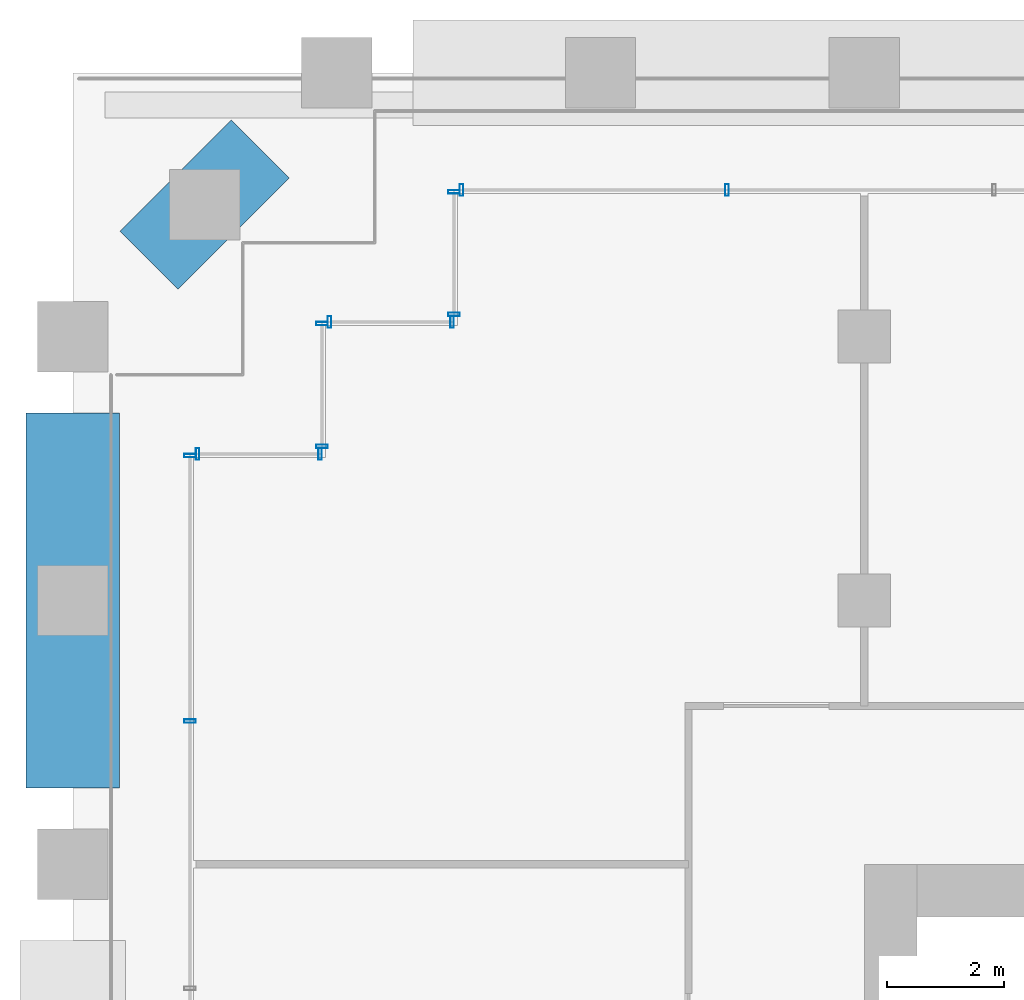
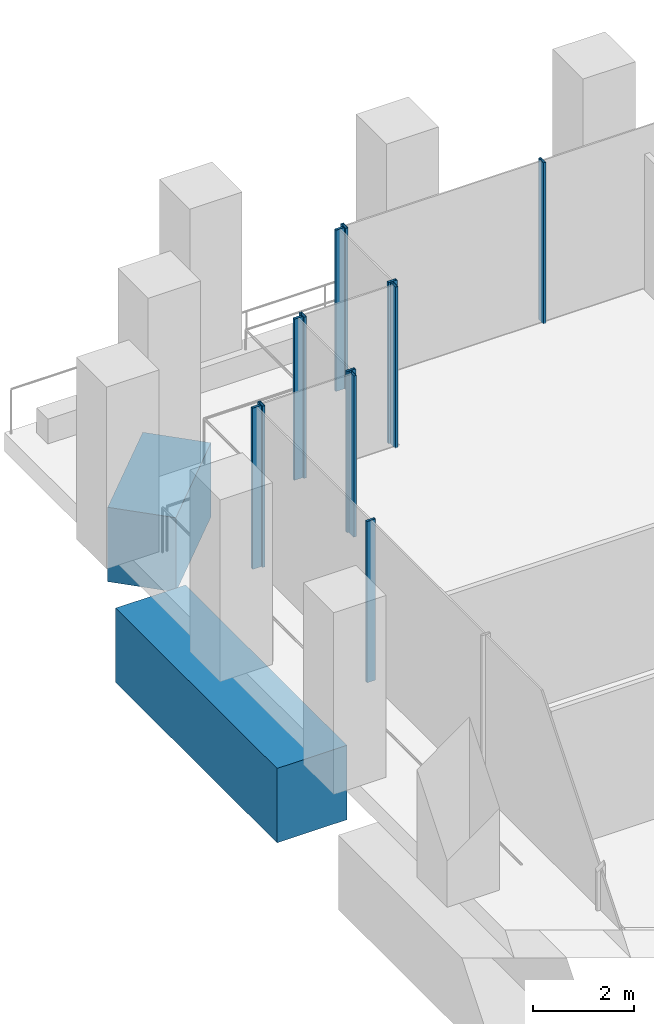
# One storey, part 9 of 32: 12 members, 2 beams, 6 elements without a shape of their own.
"""IFC4 building model written with IfcOpenShell, lengths in metres."""

import ifcopenshell
import ifcopenshell.guid

model = None  # the IFC model being written
_history = None  # IfcOwnerHistory: only IFC2X3 demands one
_inside = {}  # id of a spatial element -> (the spatial element, [elements in it])
_under = {}  # id of a project, library or spatial element -> (it, [spatial elements below it])
_declared = {}  # id of a project -> (the project, [libraries it declares])
_typed = {}  # id of a type object -> (the type object, [elements of that type])
_made_of = {}  # id of a material, layer set ... -> (it, [elements and type objects made of it])


def new_model(schema):
    """Start an empty IFC model of exactly this schema.

    Asked for "IFC4X3", IfcOpenShell would pick the latest addendum, in which some entities
    have other attributes; the version numbers below select the first issue.
    IFC2X3 requires an IfcOwnerHistory on every rooted entity: one is made here for all.
    """
    global model, _history
    if schema == "IFC4X3":
        model = ifcopenshell.file(schema_version=(4, 3, 0, 0))
    else:
        model = ifcopenshell.file(schema=schema)
    _inside.clear()
    _under.clear()
    _declared.clear()
    _typed.clear()
    _made_of.clear()
    _history = None
    if model.schema == "IFC2X3":
        org = make("IfcOrganization", Name="unknown")
        user = make(
            "IfcPersonAndOrganization",
            ThePerson=make("IfcPerson", FamilyName="unknown"),
            TheOrganization=org,
        )
        app = make(
            "IfcApplication",
            ApplicationDeveloper=org,
            Version="unknown",
            ApplicationFullName="unknown",
            ApplicationIdentifier="unknown",
        )
        _history = make(
            "IfcOwnerHistory",
            OwningUser=user,
            OwningApplication=app,
            ChangeAction="ADDED",
            CreationDate=0,
        )
    return model


def make(cls, **values):
    """One entity of the class cls with the attributes given. An attribute that is None is left unset."""
    return model.create_entity(
        cls, **{name: value for name, value in values.items() if value is not None}
    )


def rooted(cls, **values):
    """An entity with a GlobalId (a new one), such as an element, a storey or a relation."""
    return make(cls, GlobalId=ifcopenshell.guid.new(), OwnerHistory=_history, **values)


def si_unit(unit_type, name, prefix=None):
    """IfcSIUnit, for example si_unit("LENGTHUNIT", "METRE", prefix="MILLI")."""
    return make("IfcSIUnit", UnitType=unit_type, Prefix=prefix, Name=name)


def assignment(units):
    """IfcUnitAssignment: the units of a project."""
    return None if units is None else make("IfcUnitAssignment", Units=units)


def point(xyz):
    """IfcCartesianPoint."""
    return None if xyz is None else make("IfcCartesianPoint", Coordinates=xyz)


def direction(xyz):
    """IfcDirection."""
    return None if xyz is None else make("IfcDirection", DirectionRatios=xyz)


def frame(location, z_axis=None, x_axis=None):
    """IfcAxis2Placement3D, a coordinate frame: its origin and axes. An axis left out is left unset."""
    return make(
        "IfcAxis2Placement3D",
        Location=point(location),
        Axis=direction(z_axis),
        RefDirection=direction(x_axis),
    )


def frame_2d(location, x_axis=None):
    """IfcAxis2Placement2D, a coordinate frame in the plane: its origin and x axis."""
    return make(
        "IfcAxis2Placement2D", Location=point(location), RefDirection=direction(x_axis)
    )


def origin():
    """The frame at (0, 0, 0) with its axes left unset."""
    return frame((0.0, 0.0, 0.0))


def origin_2d():
    """The frame at (0, 0) in the plane with its x axis left unset."""
    return frame_2d((0.0, 0.0))


def place(relative_to, where):
    """IfcLocalPlacement: puts the frame where relative to a parent placement (None: the world)."""
    return make(
        "IfcLocalPlacement", PlacementRelTo=relative_to, RelativePlacement=where
    )


def context(
    kind, dimensions, precision=None, world=None, true_north=None, identifier=None
):
    """IfcGeometricRepresentationContext, for example the 3D "Model" context."""
    return make(
        "IfcGeometricRepresentationContext",
        ContextIdentifier=identifier,
        ContextType=kind,
        CoordinateSpaceDimension=dimensions,
        Precision=precision,
        WorldCoordinateSystem=world,
        TrueNorth=true_north,
    )


def subcontext(parent, identifier, kind, view, scale=None):
    """IfcGeometricRepresentationSubContext, for example "Body" below "Model"."""
    return make(
        "IfcGeometricRepresentationSubContext",
        ContextIdentifier=identifier,
        ContextType=kind,
        ParentContext=parent,
        TargetScale=scale,
        TargetView=view,
    )


def project(units=None, contexts=None):
    """IfcProject with its units and contexts."""
    return rooted(
        "IfcProject",
        Name="project",
        RepresentationContexts=contexts,
        UnitsInContext=assignment(units),
    )


def spatial(cls, under=None, at=None, **own):
    """A site, building, storey or space (cls), placed at a placement, below another one or the project."""
    s = rooted(cls, ObjectPlacement=at, **own)
    if under is not None:
        _under.setdefault(under.id(), (under, []))[1].append(s)
    return s


def profile(cls, at=None, kind="AREA", **sizes):
    """A parametric profile (cls). Its sizes go by their IFC names, for example OverallWidth=200.0."""
    return make(cls, ProfileType=kind, Position=at, **sizes)


def rectangle(**sizes):
    """IfcRectangleProfileDef."""
    return profile("IfcRectangleProfileDef", **sizes)


def hollow_rectangle(**sizes):
    """IfcRectangleHollowProfileDef."""
    return profile("IfcRectangleHollowProfileDef", **sizes)


def extrude(swept, where, along, depth):
    """IfcExtrudedAreaSolid: the profile swept, set in the frame where, extruded along a direction by depth."""
    return make(
        "IfcExtrudedAreaSolid",
        SweptArea=swept,
        Position=where,
        ExtrudedDirection=direction(along),
        Depth=depth,
    )


def shape(context_of_items, identifier, shape_type, items):
    """IfcShapeRepresentation: the items that make up one representation, for example the "Body"."""
    return make(
        "IfcShapeRepresentation",
        ContextOfItems=context_of_items,
        RepresentationIdentifier=identifier,
        RepresentationType=shape_type,
        Items=items,
    )


def material(Name=None, Category=None):
    """IfcMaterial."""
    return make("IfcMaterial", Name=Name, Category=Category)


def material_profile(
    of_material, cross_section, Name=None, Category=None, Priority=None
):
    """IfcMaterialProfile: a cross section and its material."""
    return make(
        "IfcMaterialProfile",
        Name=Name,
        Material=of_material,
        Profile=cross_section,
        Priority=Priority,
        Category=Category,
    )


def profile_set(profiles, Name=None, composite=None):
    """IfcMaterialProfileSet."""
    return make(
        "IfcMaterialProfileSet",
        Name=Name,
        MaterialProfiles=profiles,
        CompositeProfile=composite,
    )


def made_of(thing, what):
    """Note that an element or type object is made of a material, layer set ...; save() writes the relation."""
    if what is not None:
        _made_of.setdefault(what.id(), (what, []))[1].append(thing)
    return thing


def type_object(cls, material=None, **own):
    """A type object (cls), such as IfcWallType, which elements share."""
    return made_of(rooted(cls, **own), material)


def element(
    cls,
    number,
    at=None,
    inside=None,
    cuts=None,
    type_object=None,
    material=None,
    context=None,
    identifier="Body",
    shape_type=None,
    held_by="IfcProductDefinitionShape",
    body=None,
    shapes=None,
    **own,
):
    """One element of the class cls, such as IfcWall. Its Tag is "e" and its number.

    at: its placement. inside: the storey or other place that contains it. cuts: it is an
    opening in that element (IfcRelVoidsElement). A single representation is given by context,
    identifier, shape_type and body (its items); several are given by shapes. held_by: the class
    of the entity that holds the representations. save() writes the other relations.
    """
    e = rooted(cls, Tag="e%d" % number, ObjectPlacement=at, **own)
    if body is not None:
        shapes = [shape(context, identifier, shape_type, body)]
    if shapes is not None:
        e.Representation = make(held_by, Representations=shapes)
    if inside is not None:
        _inside.setdefault(inside.id(), (inside, []))[1].append(e)
    if cuts is not None:
        rooted(
            "IfcRelVoidsElement", RelatingBuildingElement=cuts, RelatedOpeningElement=e
        )
    if type_object is not None:
        _typed.setdefault(type_object.id(), (type_object, []))[1].append(e)
    return made_of(e, material)


def aggregate(whole, parts):
    """IfcRelAggregates: a whole, such as a stair, and the parts it consists of."""
    return rooted("IfcRelAggregates", RelatingObject=whole, RelatedObjects=parts)


def save(model, path):
    """Write the relations noted so far, then the file.

    IfcRelAggregates (storeys below a building ...), IfcRelContainedInSpatialStructure (elements
    in a storey), IfcRelDefinesByType, IfcRelAssociatesMaterial and IfcRelDeclares: one each for
    every whole, place, type object, material and project.
    """
    for whole, parts in _under.values():
        aggregate(whole, parts)
    for where, things in _inside.values():
        rooted(
            "IfcRelContainedInSpatialStructure",
            RelatedElements=things,
            RelatingStructure=where,
        )
    for kind, things in _typed.values():
        rooted("IfcRelDefinesByType", RelatedObjects=things, RelatingType=kind)
    for what, things in _made_of.values():
        rooted("IfcRelAssociatesMaterial", RelatedObjects=things, RelatingMaterial=what)
    for by, libraries in _declared.values():
        rooted("IfcRelDeclares", RelatingContext=by, RelatedDefinitions=libraries)
    model.write(path)


model = new_model("IFC4")

# Units and contexts
model_context = context("Model", 3, precision=1e-05, world=origin(), true_north=direction((0.0, 1.0)))
body_context = subcontext(model_context, "Body", "Model", "MODEL_VIEW")
ifc_project = project(units=[si_unit("LENGTHUNIT", "METRE"), si_unit("AREAUNIT", "SQUARE_METRE"), si_unit("VOLUMEUNIT", "CUBIC_METRE"), si_unit("PLANEANGLEUNIT", "RADIAN"), si_unit("MASSUNIT", "GRAM", prefix="KILO")], contexts=[model_context])

# Site, building, storey
site_placement = place(None, origin())
site = spatial("IfcSite", under=ifc_project, at=site_placement, CompositionType="ELEMENT")
building_placement = place(site_placement, origin())
building = spatial("IfcBuilding", under=site, at=building_placement, Name="Altepetl Exchange Towers", CompositionType="ELEMENT")
storey_placement = place(building_placement, frame((0.0, 0.0, 21.0)))
storey = spatial("IfcBuildingStorey", under=building, at=storey_placement, Name="L04", CompositionType="ELEMENT", Elevation=21.0)

# Curtain wall, members
ifc_material_1 = material(Name="Aluminium 6063-T6 glazing", Category="aluminium")
curtain_wall_type = type_object("IfcCurtainWallType", Name="Trading floor glazing system", PredefinedType="NOTDEFINED", material=ifc_material_1)
curtain_wall_1_placement = place(storey_placement, origin())
curtain_wall_1 = element("IfcCurtainWall", 1, at=curtain_wall_1_placement, inside=storey, type_object=curtain_wall_type, Name="CW2 run", PredefinedType="NOTDEFINED")
ifc_material_2 = material(Name="Aluminium 6063-T6", Category="aluminium")
ifc_material_profile_1 = material_profile(ifc_material_2, hollow_rectangle(XDim=0.06005859375, YDim=0.199951171875, WallThickness=0.0029296875, at=origin_2d()), Name="Mullion 60x200 aluminium")
ifc_profile_set_1 = profile_set([ifc_material_profile_1], Name="Aluminium 6063-T6")
member_type = type_object("IfcMemberType", Name="Mullion 60x200 aluminium", PredefinedType="MULLION", material=ifc_profile_set_1)
member_1_placement = place(storey_placement, frame((31.219970703125, 65.5, 0.0), z_axis=(0.0, 0.0, 1.0), x_axis=(-1.0, 0.0, 0.0)))
member_1 = element("IfcMember", 2, at=member_1_placement, type_object=member_type, Name="MU2 mullion", PredefinedType="MULLION", context=body_context, shape_type="SweptSolid", body=[
    extrude(hollow_rectangle(XDim=0.06005859375, YDim=0.199951171875, WallThickness=0.0029296875, at=origin_2d()), origin(), (0.0, 0.0, 1.0), 3.89990234375),
])
member_2_placement = place(storey_placement, frame((29.1298828125, 65.5, 0.0), z_axis=(0.0, 0.0, 1.0), x_axis=(-1.0, 0.0, 0.0)))
member_2 = element("IfcMember", 3, at=member_2_placement, type_object=member_type, Name="MU2 mullion", PredefinedType="MULLION", context=body_context, shape_type="SweptSolid", body=[
    extrude(hollow_rectangle(XDim=0.06005859375, YDim=0.199951171875, WallThickness=0.0029296875, at=origin_2d()), origin(), (0.0, 0.0, 1.0), 3.89990234375),
])
aggregate(curtain_wall_1, [member_1, member_2])

curtain_wall_2_placement = place(storey_placement, origin())
curtain_wall_2 = element("IfcCurtainWall", 4, at=curtain_wall_2_placement, inside=storey, type_object=curtain_wall_type, Name="CW2 run", PredefinedType="NOTDEFINED")
member_3_placement = place(storey_placement, frame((29.0, 65.469970703125, 0.0), z_axis=(0.0, 0.0, 1.0), x_axis=(0.0, -1.0, 0.0)))
member_3 = element("IfcMember", 5, at=member_3_placement, type_object=member_type, Name="MU2 mullion", PredefinedType="MULLION", context=body_context, shape_type="SweptSolid", body=[
    extrude(hollow_rectangle(XDim=0.06005859375, YDim=0.199951171875, WallThickness=0.0029296875, at=origin_2d()), origin(), (0.0, 0.0, 1.0), 3.89990234375),
])
member_4_placement = place(storey_placement, frame((29.0, 60.94287109375, 0.0), z_axis=(0.0, 0.0, 1.0), x_axis=(0.0, -1.0, 0.0)))
member_4 = element("IfcMember", 6, at=member_4_placement, type_object=member_type, Name="MU2 mullion", PredefinedType="MULLION", context=body_context, shape_type="SweptSolid", body=[
    extrude(hollow_rectangle(XDim=0.06005859375, YDim=0.199951171875, WallThickness=0.0029296875, at=origin_2d()), origin(), (0.0, 0.0, 1.0), 3.89990234375),
])
aggregate(curtain_wall_2, [member_3, member_4])

curtain_wall_3_placement = place(storey_placement, origin())
curtain_wall_3 = element("IfcCurtainWall", 7, at=curtain_wall_3_placement, inside=storey, type_object=curtain_wall_type, Name="CW2 run", PredefinedType="NOTDEFINED")
member_5_placement = place(storey_placement, frame((38.1572265625, 70.0, 0.0), z_axis=(0.0, 0.0, 1.0), x_axis=(-1.0, 0.0, 0.0)))
member_5 = element("IfcMember", 8, at=member_5_placement, type_object=member_type, Name="MU2 mullion", PredefinedType="MULLION", context=body_context, shape_type="SweptSolid", body=[
    extrude(hollow_rectangle(XDim=0.06005859375, YDim=0.199951171875, WallThickness=0.0029296875, at=origin_2d()), origin(), (0.0, 0.0, 1.0), 3.89990234375),
])
member_6_placement = place(storey_placement, frame((33.6298828125, 70.0, 0.0), z_axis=(0.0, 0.0, 1.0), x_axis=(-1.0, 0.0, 0.0)))
member_6 = element("IfcMember", 9, at=member_6_placement, type_object=member_type, Name="MU2 mullion", PredefinedType="MULLION", context=body_context, shape_type="SweptSolid", body=[
    extrude(hollow_rectangle(XDim=0.06005859375, YDim=0.199951171875, WallThickness=0.0029296875, at=origin_2d()), origin(), (0.0, 0.0, 1.0), 3.89990234375),
])
aggregate(curtain_wall_3, [member_5, member_6])

curtain_wall_4_placement = place(storey_placement, origin())
curtain_wall_4 = element("IfcCurtainWall", 10, at=curtain_wall_4_placement, inside=storey, type_object=curtain_wall_type, Name="CW2 run", PredefinedType="NOTDEFINED")
member_7_placement = place(storey_placement, frame((33.5, 69.969970703125, 0.0), z_axis=(0.0, 0.0, 1.0), x_axis=(0.0, -1.0, 0.0)))
member_7 = element("IfcMember", 11, at=member_7_placement, type_object=member_type, Name="MU2 mullion", PredefinedType="MULLION", context=body_context, shape_type="SweptSolid", body=[
    extrude(hollow_rectangle(XDim=0.06005859375, YDim=0.199951171875, WallThickness=0.0029296875, at=origin_2d()), origin(), (0.0, 0.0, 1.0), 3.89990234375),
])
member_8_placement = place(storey_placement, frame((33.5, 67.8798828125, 0.0), z_axis=(0.0, 0.0, 1.0), x_axis=(0.0, -1.0, 0.0)))
member_8 = element("IfcMember", 12, at=member_8_placement, type_object=member_type, Name="MU2 mullion", PredefinedType="MULLION", context=body_context, shape_type="SweptSolid", body=[
    extrude(hollow_rectangle(XDim=0.06005859375, YDim=0.199951171875, WallThickness=0.0029296875, at=origin_2d()), origin(), (0.0, 0.0, 1.0), 3.89990234375),
])
aggregate(curtain_wall_4, [member_7, member_8])

curtain_wall_5_placement = place(storey_placement, origin())
curtain_wall_5 = element("IfcCurtainWall", 13, at=curtain_wall_5_placement, inside=storey, type_object=curtain_wall_type, Name="CW2 run", PredefinedType="NOTDEFINED")
member_9_placement = place(storey_placement, frame((33.469970703125, 67.75, 0.0), z_axis=(0.0, 0.0, 1.0), x_axis=(-1.0, 0.0, 0.0)))
member_9 = element("IfcMember", 14, at=member_9_placement, type_object=member_type, Name="MU2 mullion", PredefinedType="MULLION", context=body_context, shape_type="SweptSolid", body=[
    extrude(hollow_rectangle(XDim=0.06005859375, YDim=0.199951171875, WallThickness=0.0029296875, at=origin_2d()), origin(), (0.0, 0.0, 1.0), 3.89990234375),
])
member_10_placement = place(storey_placement, frame((31.3798828125, 67.75, 0.0), z_axis=(0.0, 0.0, 1.0), x_axis=(-1.0, 0.0, 0.0)))
member_10 = element("IfcMember", 15, at=member_10_placement, type_object=member_type, Name="MU2 mullion", PredefinedType="MULLION", context=body_context, shape_type="SweptSolid", body=[
    extrude(hollow_rectangle(XDim=0.06005859375, YDim=0.199951171875, WallThickness=0.0029296875, at=origin_2d()), origin(), (0.0, 0.0, 1.0), 3.89990234375),
])
aggregate(curtain_wall_5, [member_9, member_10])

curtain_wall_6_placement = place(storey_placement, origin())
curtain_wall_6 = element("IfcCurtainWall", 16, at=curtain_wall_6_placement, inside=storey, type_object=curtain_wall_type, Name="CW2 run", PredefinedType="NOTDEFINED")
member_11_placement = place(storey_placement, frame((31.25, 67.719970703125, 0.0), z_axis=(0.0, 0.0, 1.0), x_axis=(0.0, -1.0, 0.0)))
member_11 = element("IfcMember", 17, at=member_11_placement, type_object=member_type, Name="MU2 mullion", PredefinedType="MULLION", context=body_context, shape_type="SweptSolid", body=[
    extrude(hollow_rectangle(XDim=0.06005859375, YDim=0.199951171875, WallThickness=0.0029296875, at=origin_2d()), origin(), (0.0, 0.0, 1.0), 3.89990234375),
])
member_12_placement = place(storey_placement, frame((31.25, 65.6298828125, 0.0), z_axis=(0.0, 0.0, 1.0), x_axis=(0.0, -1.0, 0.0)))
member_12 = element("IfcMember", 18, at=member_12_placement, type_object=member_type, Name="MU2 mullion", PredefinedType="MULLION", context=body_context, shape_type="SweptSolid", body=[
    extrude(hollow_rectangle(XDim=0.06005859375, YDim=0.199951171875, WallThickness=0.0029296875, at=origin_2d()), origin(), (0.0, 0.0, 1.0), 3.89990234375),
])
aggregate(curtain_wall_6, [member_11, member_12])

# Beams
ifc_material_3 = material(Name="Concrete C60/75", Category="concrete")
ifc_material_profile_2 = material_profile(ifc_material_3, rectangle(XDim=1.39990234375, YDim=1.800048828125, at=origin_2d()), Name="1400 x 1800")
ifc_profile_set_2 = profile_set([ifc_material_profile_2], Name="Concrete C60/75")
beam_type_1 = type_object("IfcBeamType", Name="Transfer girder 1400x1800", PredefinedType="BEAM", material=ifc_profile_set_2)
beam_1_placement = place(storey_placement, frame((30.199951171875, 70.699951171875, -1.35009765625), z_axis=(-0.707106781187, -0.707106781187, 0.0), x_axis=(0.707106781187, -0.707106781187, 0.0)))
element("IfcBeam", 19, at=beam_1_placement, inside=storey, type_object=beam_type_1, Name="bm:A:L04:tg15", PredefinedType="BEAM", context=body_context, shape_type="SweptSolid", body=[
    extrude(rectangle(XDim=1.39990234375, YDim=1.800048828125, at=origin_2d()), origin(), (0.0, 0.0, 1.0), 2.686767578125),
])
ifc_material_profile_3 = material_profile(ifc_material_3, rectangle(XDim=1.60009765625, YDim=1.800048828125, at=origin_2d()), Name="1600 x 1800")
ifc_profile_set_3 = profile_set([ifc_material_profile_3], Name="Concrete C60/75")
beam_type_2 = type_object("IfcBeamType", Name="Transfer girder 1600x1800", PredefinedType="BEAM", material=ifc_profile_set_3)
beam_2_placement = place(storey_placement, frame((27.0, 59.800048828125, -1.35009765625), z_axis=(0.0, 1.0, 0.0), x_axis=(-1.0, 0.0, 0.0)))
element("IfcBeam", 20, at=beam_2_placement, inside=storey, type_object=beam_type_2, Name="bm:A:L04:tg11", PredefinedType="BEAM", context=body_context, shape_type="SweptSolid", body=[
    extrude(rectangle(XDim=1.60009765625, YDim=1.800048828125, at=origin_2d()), origin(), (0.0, 0.0, 1.0), 6.39990234375),
])

save(model, "model.ifc")
